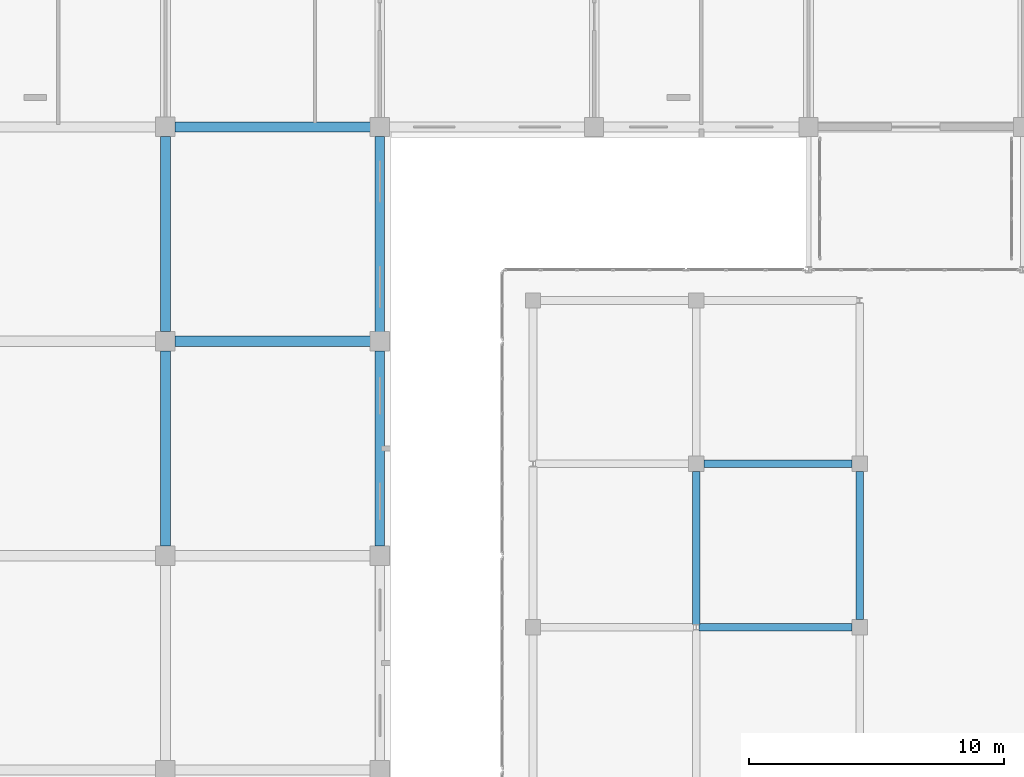
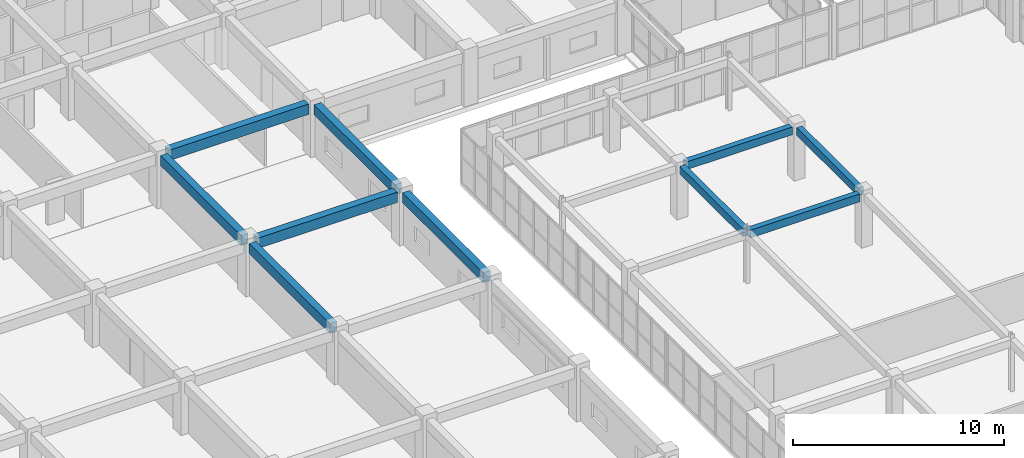
# One storey, part 84 of 200: 10 beams.
"""IFC4 building model written with IfcOpenShell, lengths in metres."""

from ifc_helpers import new_model, si_unit, direction, frame, origin, origin_2d, place, context, subcontext, project, spatial, rectangle, extrude, material, material_profile, profile_set, type_object, element, save


model = new_model("IFC4")

# Units and contexts
model_context = context("Model", 3, precision=1e-05, world=origin(), true_north=direction((0.0, 1.0)))
body_context = subcontext(model_context, "Body", "Model", "MODEL_VIEW")
ifc_project = project(units=[si_unit("LENGTHUNIT", "METRE"), si_unit("AREAUNIT", "SQUARE_METRE"), si_unit("VOLUMEUNIT", "CUBIC_METRE"), si_unit("PLANEANGLEUNIT", "RADIAN"), si_unit("MASSUNIT", "GRAM", prefix="KILO")], contexts=[model_context])

# Site, building, storey
site_placement = place(None, origin())
site = spatial("IfcSite", under=ifc_project, at=site_placement, CompositionType="ELEMENT")
building_placement = place(site_placement, origin())
building = spatial("IfcBuilding", under=site, at=building_placement, Name="Trelvath General Hospital", CompositionType="ELEMENT")
storey_placement = place(building_placement, frame((0.0, 0.0, 4.800048828125)))
storey = spatial("IfcBuildingStorey", under=building, at=storey_placement, Name="L01", CompositionType="ELEMENT", Elevation=4.800048828125)

# Beams
ifc_material_1 = material(Name="Concrete C35/45", Category="concrete")
ifc_material_profile_1 = material_profile(ifc_material_1, rectangle(XDim=0.300048828125, YDim=0.449951171875, at=origin_2d()), Name="RCB300x450")
ifc_profile_set_1 = profile_set([ifc_material_profile_1], Name="Concrete C35/45")
beam_type_1 = type_object("IfcBeamType", Name="Beam RC300x450", PredefinedType="BEAM", material=ifc_profile_set_1)
beam_1_placement = place(storey_placement, frame((54.506103515625, 72.800048828125, 2.8349609375), z_axis=(1.0, 0.0, 0.0), x_axis=(0.0, 1.0, 0.0)))
element("IfcBeam", 1, at=beam_1_placement, inside=storey, type_object=beam_type_1, Name="Cube Interior Ring Beam CUBE-W-T0 L01", PredefinedType="BEAM", context=body_context, shape_type="SweptSolid", body=[
    extrude(rectangle(XDim=0.300048828125, YDim=0.449951171875, at=origin_2d()), origin(), (0.0, 0.0, 1.0), 5.997802734375),
])
beam_2_placement = place(storey_placement, frame((54.696044921875, 79.199951171875, 2.8349609375), z_axis=(1.0, 0.0, 0.0), x_axis=(0.0, 1.0, 0.0)))
element("IfcBeam", 2, at=beam_2_placement, inside=storey, type_object=beam_type_1, Name="Cube Interior Ring Beam CUBE-W-T0 L01", PredefinedType="BEAM", context=body_context, shape_type="SweptSolid", body=[
    extrude(rectangle(XDim=0.300048828125, YDim=0.449951171875, at=origin_2d()), origin(), (0.0, 0.0, 1.0), 5.807861328125),
])
beam_3_placement = place(storey_placement, frame((54.39990234375, 72.906005859375, 2.8349609375), z_axis=(0.0, 1.0, 0.0), x_axis=(-1.0, 0.0, 0.0)))
element("IfcBeam", 3, at=beam_3_placement, inside=storey, type_object=beam_type_1, Name="Cube Interior Ring Beam CUBE-W-T0 L01", PredefinedType="BEAM", context=body_context, shape_type="SweptSolid", body=[
    extrude(rectangle(XDim=0.300048828125, YDim=0.449951171875, at=origin_2d()), origin(), (0.0, 0.0, 1.0), 5.998046875),
])
beam_4_placement = place(storey_placement, frame((60.800048828125, 73.095947265625, 2.8349609375), z_axis=(0.0, 1.0, 0.0), x_axis=(-1.0, 0.0, 0.0)))
element("IfcBeam", 4, at=beam_4_placement, inside=storey, type_object=beam_type_1, Name="Cube Interior Ring Beam CUBE-W-T0 L01", PredefinedType="BEAM", context=body_context, shape_type="SweptSolid", body=[
    extrude(rectangle(XDim=0.300048828125, YDim=0.449951171875, at=origin_2d()), origin(), (0.0, 0.0, 1.0), 5.80810546875),
])
ifc_material_2 = material(Name="Concrete C35/45", Category="concrete")
ifc_material_profile_2 = material_profile(ifc_material_2, rectangle(XDim=0.3798828125, YDim=0.580078125, at=origin_2d()), Name="RCB380x580")
ifc_profile_set_2 = profile_set([ifc_material_profile_2], Name="Concrete C35/45")
beam_type_2 = type_object("IfcBeamType", Name="Beam RC380x580", PredefinedType="BEAM", material=ifc_profile_set_2)
for number, where, z_axis, x_axis, name in (
    (5, (33.60009765625, 75.97509765625, 2.72998046875), (0.0, 1.0, 0.0), (-1.0, 0.0, 0.0), "Grid Beam BY-104J"),
    (6, (33.60009765625, 84.375, 2.72998046875), (0.0, 1.0, 0.0), (-1.0, 0.0, 0.0), "Grid Beam BY-104K"),
):
    element("IfcBeam", number, at=place(storey_placement, frame(where, z_axis=z_axis, x_axis=x_axis)), inside=storey, type_object=beam_type_2, Name=name, PredefinedType="BEAM", context=body_context, shape_type="SweptSolid", body=[
        extrude(rectangle(XDim=0.3798828125, YDim=0.580078125, at=origin_2d()), origin(), (0.0, 0.0, 1.0), 7.64990234375),
    ])
for number, where, z_axis, x_axis, name in (
    (7, (42.0, 75.969970703125, 2.72998046875), (0.0, 1.0, 0.0), (-1.0, 0.0, 0.0), "Grid Beam BY-105J"),
    (8, (42.0, 84.3701171875, 2.72998046875), (0.0, 1.0, 0.0), (-1.0, 0.0, 0.0), "Grid Beam BY-105K"),
):
    element("IfcBeam", number, at=place(storey_placement, frame(where, z_axis=z_axis, x_axis=x_axis)), inside=storey, type_object=beam_type_2, Name=name, PredefinedType="BEAM", context=body_context, shape_type="SweptSolid", body=[
        extrude(rectangle(XDim=0.3798828125, YDim=0.580078125, at=origin_2d()), origin(), (0.0, 0.0, 1.0), 7.659912109375),
    ])
ifc_material_3 = material(Name="Concrete C35/45", Category="concrete")
ifc_material_profile_3 = material_profile(ifc_material_3, rectangle(XDim=0.39990234375, YDim=0.60009765625, at=origin_2d()), Name="RCB400x600")
ifc_profile_set_3 = profile_set([ifc_material_profile_3], Name="Concrete C35/45")
beam_type_3 = type_object("IfcBeamType", Name="Beam RC400x600", PredefinedType="BEAM", material=ifc_profile_set_3)
for number, where, z_axis, x_axis, name in (
    (9, (33.97509765625, 84.0, 2.719970703125), (1.0, 0.0, 0.0), (0.0, 1.0, 0.0), "Grid Beam BX-104K"),
    (10, (33.97509765625, 92.39990234375, 2.719970703125), (1.0, 0.0, 0.0), (0.0, 1.0, 0.0), "Grid Beam BX-104L"),
):
    element("IfcBeam", number, at=place(storey_placement, frame(where, z_axis=z_axis, x_axis=x_axis)), inside=storey, type_object=beam_type_3, Name=name, PredefinedType="BEAM", context=body_context, shape_type="SweptSolid", body=[
        extrude(rectangle(XDim=0.39990234375, YDim=0.60009765625, at=origin_2d()), origin(), (0.0, 0.0, 1.0), 7.65478515625),
    ])

save(model, "model.ifc")
